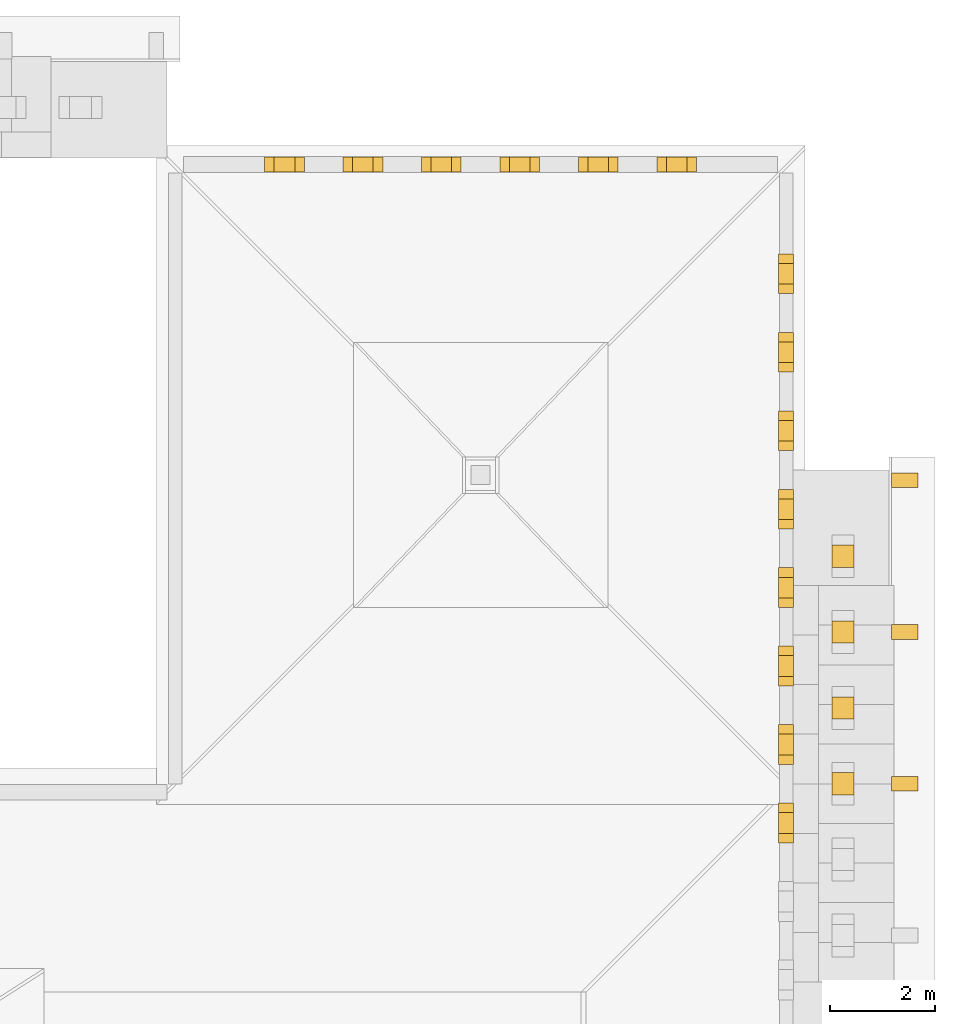
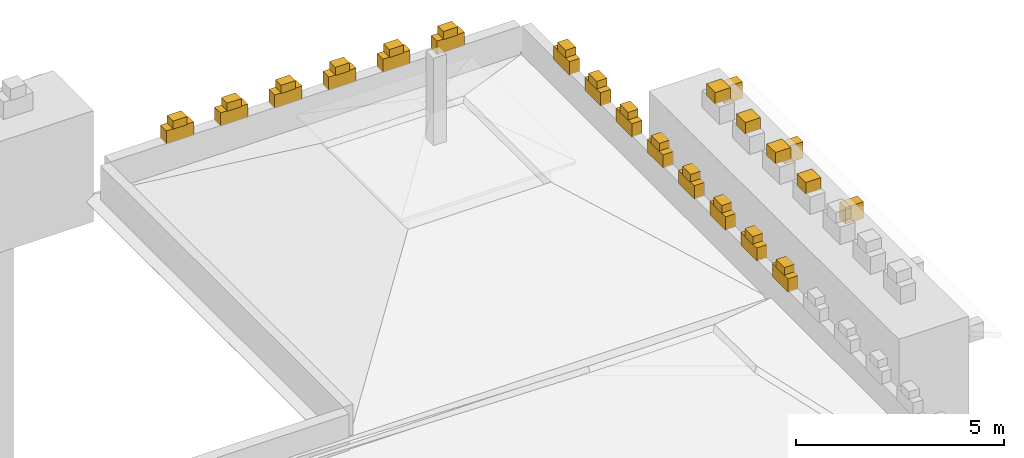
# One storey, part 4 of 4: 35 coverings.
"""IFC4 building model written with IfcOpenShell, lengths in metres."""

from ifc_helpers import new_model, si_unit, direction, frame, origin, place, context, subcontext, project, spatial, polyline, outline, extrude, material, layer, layer_set, type_object, element, save


model = new_model("IFC4")

# Units and contexts
model_context = context("Model", 3, precision=1e-05, world=origin(), true_north=direction((0.0, 1.0)))
body_context = subcontext(model_context, "Body", "Model", "MODEL_VIEW")
ifc_project = project(units=[si_unit("LENGTHUNIT", "METRE"), si_unit("AREAUNIT", "SQUARE_METRE"), si_unit("VOLUMEUNIT", "CUBIC_METRE"), si_unit("PLANEANGLEUNIT", "RADIAN"), si_unit("MASSUNIT", "GRAM", prefix="KILO")], contexts=[model_context])

# Site, building, storey
site_placement = place(None, origin())
site = spatial("IfcSite", under=ifc_project, at=site_placement, CompositionType="ELEMENT")
building_placement = place(site_placement, origin())
building = spatial("IfcBuilding", under=site, at=building_placement, Name="Zlatogorsky Bluff Art Gallery", CompositionType="ELEMENT")
storey_placement = place(building_placement, frame((0.0, 0.0, 28.199951171875)))
storey = spatial("IfcBuildingStorey", under=building, at=storey_placement, Name="RF", CompositionType="ELEMENT", Elevation=28.199951171875)

# Coverings
ifc_material = material(Name="Honed Red Agra-Tone Quartzitic Sandstone", Category="masonry")
ifc_layer = layer(ifc_material, 0.1201171875)
ifc_layer_set = layer_set([ifc_layer], Name="Carved Sandstone Cladding CLD-02")
covering_type = type_object("IfcCoveringType", Name="Carved Sandstone Cladding CLD-02", PredefinedType="CLADDING", material=ifc_layer_set)
covering_1_placement = place(storey_placement, frame((0.0, 0.0, 1.760009765625)))
element("IfcCovering", 1, at=covering_1_placement, inside=storey, type_object=covering_type, Name="Chhajja carved stone corbel PISHTAQ-NE-EAST-CHJ.3", PredefinedType="CLADDING", context=body_context, shape_type="SweptSolid", body=[
    extrude(outline(polyline([(157.860107421875, 95.860107421875), (157.860107421875, 96.139892578125), (158.360107421875, 96.139892578125), (158.360107421875, 95.860107421875), (157.860107421875, 95.860107421875)])), origin(), (0.0, 0.0, 1.0), 0.47998046875),
])
covering_2_placement = place(storey_placement, frame((0.0, 0.0, 1.760009765625)))
element("IfcCovering", 2, at=covering_2_placement, inside=storey, type_object=covering_type, Name="Chhajja carved stone corbel PISHTAQ-NE-EAST-CHJ.4", PredefinedType="CLADDING", context=body_context, shape_type="SweptSolid", body=[
    extrude(outline(polyline([(157.860107421875, 98.760009765625), (157.860107421875, 99.0400390625), (158.360107421875, 99.0400390625), (158.360107421875, 98.760009765625), (157.860107421875, 98.760009765625)])), origin(), (0.0, 0.0, 1.0), 0.47998046875),
])
covering_3_placement = place(storey_placement, frame((0.0, 0.0, 1.760009765625)))
element("IfcCovering", 3, at=covering_3_placement, inside=storey, type_object=covering_type, Name="Chhajja carved stone corbel PISHTAQ-NE-EAST-CHJ.5", PredefinedType="CLADDING", context=body_context, shape_type="SweptSolid", body=[
    extrude(outline(polyline([(157.860107421875, 101.659912109375), (157.860107421875, 101.93994140625), (158.360107421875, 101.93994140625), (158.360107421875, 101.659912109375), (157.860107421875, 101.659912109375)])), origin(), (0.0, 0.0, 1.0), 0.47998046875),
])
covering_4_placement = place(storey_placement, frame((0.0, 0.0, 3.083740234375)))
element("IfcCovering", 4, at=covering_4_placement, inside=storey, type_object=covering_type, Name="Kangura pointed merlon finial PISHTAQ-NE-EAST.4", PredefinedType="CLADDING", context=body_context, shape_type="SweptSolid", body=[
    extrude(outline(polyline([(156.719970703125, 95.786865234375), (156.719970703125, 96.213134765625), (157.139892578125, 96.213134765625), (157.139892578125, 95.786865234375), (156.719970703125, 95.786865234375)])), origin(), (0.0, 0.0, 1.0), 0.33642578125),
])
covering_5_placement = place(storey_placement, frame((0.0, 0.0, 3.083740234375)))
element("IfcCovering", 5, at=covering_5_placement, inside=storey, type_object=covering_type, Name="Kangura pointed merlon finial PISHTAQ-NE-EAST.5", PredefinedType="CLADDING", context=body_context, shape_type="SweptSolid", body=[
    extrude(outline(polyline([(156.719970703125, 97.23681640625), (156.719970703125, 97.6630859375), (157.139892578125, 97.6630859375), (157.139892578125, 97.23681640625), (156.719970703125, 97.23681640625)])), origin(), (0.0, 0.0, 1.0), 0.33642578125),
])
covering_6_placement = place(storey_placement, frame((0.0, 0.0, 3.083740234375)))
element("IfcCovering", 6, at=covering_6_placement, inside=storey, type_object=covering_type, Name="Kangura pointed merlon finial PISHTAQ-NE-EAST.6", PredefinedType="CLADDING", context=body_context, shape_type="SweptSolid", body=[
    extrude(outline(polyline([(156.719970703125, 98.686767578125), (156.719970703125, 99.11328125), (157.139892578125, 99.11328125), (157.139892578125, 98.686767578125), (156.719970703125, 98.686767578125)])), origin(), (0.0, 0.0, 1.0), 0.33642578125),
])
covering_7_placement = place(storey_placement, frame((0.0, 0.0, 3.083740234375)))
element("IfcCovering", 7, at=covering_7_placement, inside=storey, type_object=covering_type, Name="Kangura pointed merlon finial PISHTAQ-NE-EAST.7", PredefinedType="CLADDING", context=body_context, shape_type="SweptSolid", body=[
    extrude(outline(polyline([(156.719970703125, 100.13671875), (156.719970703125, 100.563232421875), (157.139892578125, 100.563232421875), (157.139892578125, 100.13671875), (156.719970703125, 100.13671875)])), origin(), (0.0, 0.0, 1.0), 0.33642578125),
])
covering_8_placement = place(storey_placement, frame((0.0, 0.0, 1.1201171875)))
element("IfcCovering", 8, at=covering_8_placement, inside=storey, type_object=covering_type, Name="Kangura stepped merlon base PAR-RF-RF-01-6.1", PredefinedType="CLADDING", context=body_context, shape_type="SweptSolid", body=[
    extrude(outline(polyline([(145.8701171875, 107.699951171875), (146.6298828125, 107.699951171875), (146.6298828125, 107.97998046875), (145.8701171875, 107.97998046875), (145.8701171875, 107.699951171875)])), origin(), (0.0, 0.0, 1.0), 0.3896484375),
])
covering_9_placement = place(storey_placement, frame((0.0, 0.0, 1.4921875)))
element("IfcCovering", 9, at=covering_9_placement, inside=storey, type_object=covering_type, Name="Kangura pointed merlon finial PAR-RF-RF-01-6.1", PredefinedType="CLADDING", context=body_context, shape_type="SweptSolid", body=[
    extrude(outline(polyline([(146.052490234375, 107.699951171875), (146.447509765625, 107.699951171875), (146.447509765625, 107.97998046875), (146.052490234375, 107.97998046875), (146.052490234375, 107.699951171875)])), origin(), (0.0, 0.0, 1.0), 0.23779296875),
])
covering_10_placement = place(storey_placement, frame((0.0, 0.0, 1.1201171875)))
element("IfcCovering", 10, at=covering_10_placement, inside=storey, type_object=covering_type, Name="Kangura stepped merlon base PAR-RF-RF-01-6.2", PredefinedType="CLADDING", context=body_context, shape_type="SweptSolid", body=[
    extrude(outline(polyline([(147.3701171875, 107.699951171875), (148.1298828125, 107.699951171875), (148.1298828125, 107.97998046875), (147.3701171875, 107.97998046875), (147.3701171875, 107.699951171875)])), origin(), (0.0, 0.0, 1.0), 0.3896484375),
])
covering_11_placement = place(storey_placement, frame((0.0, 0.0, 1.4921875)))
element("IfcCovering", 11, at=covering_11_placement, inside=storey, type_object=covering_type, Name="Kangura pointed merlon finial PAR-RF-RF-01-6.2", PredefinedType="CLADDING", context=body_context, shape_type="SweptSolid", body=[
    extrude(outline(polyline([(147.552490234375, 107.699951171875), (147.947509765625, 107.699951171875), (147.947509765625, 107.97998046875), (147.552490234375, 107.97998046875), (147.552490234375, 107.699951171875)])), origin(), (0.0, 0.0, 1.0), 0.23779296875),
])
covering_12_placement = place(storey_placement, frame((0.0, 0.0, 1.1201171875)))
element("IfcCovering", 12, at=covering_12_placement, inside=storey, type_object=covering_type, Name="Kangura stepped merlon base PAR-RF-RF-01-6.3", PredefinedType="CLADDING", context=body_context, shape_type="SweptSolid", body=[
    extrude(outline(polyline([(148.8701171875, 107.699951171875), (149.6298828125, 107.699951171875), (149.6298828125, 107.97998046875), (148.8701171875, 107.97998046875), (148.8701171875, 107.699951171875)])), origin(), (0.0, 0.0, 1.0), 0.3896484375),
])
covering_13_placement = place(storey_placement, frame((0.0, 0.0, 1.4921875)))
element("IfcCovering", 13, at=covering_13_placement, inside=storey, type_object=covering_type, Name="Kangura pointed merlon finial PAR-RF-RF-01-6.3", PredefinedType="CLADDING", context=body_context, shape_type="SweptSolid", body=[
    extrude(outline(polyline([(149.052490234375, 107.699951171875), (149.447509765625, 107.699951171875), (149.447509765625, 107.97998046875), (149.052490234375, 107.97998046875), (149.052490234375, 107.699951171875)])), origin(), (0.0, 0.0, 1.0), 0.23779296875),
])
covering_14_placement = place(storey_placement, frame((0.0, 0.0, 1.1201171875)))
element("IfcCovering", 14, at=covering_14_placement, inside=storey, type_object=covering_type, Name="Kangura stepped merlon base PAR-RF-RF-01-6.4", PredefinedType="CLADDING", context=body_context, shape_type="SweptSolid", body=[
    extrude(outline(polyline([(150.3701171875, 107.699951171875), (151.1298828125, 107.699951171875), (151.1298828125, 107.97998046875), (150.3701171875, 107.97998046875), (150.3701171875, 107.699951171875)])), origin(), (0.0, 0.0, 1.0), 0.3896484375),
])
covering_15_placement = place(storey_placement, frame((0.0, 0.0, 1.4921875)))
element("IfcCovering", 15, at=covering_15_placement, inside=storey, type_object=covering_type, Name="Kangura pointed merlon finial PAR-RF-RF-01-6.4", PredefinedType="CLADDING", context=body_context, shape_type="SweptSolid", body=[
    extrude(outline(polyline([(150.552490234375, 107.699951171875), (150.947509765625, 107.699951171875), (150.947509765625, 107.97998046875), (150.552490234375, 107.97998046875), (150.552490234375, 107.699951171875)])), origin(), (0.0, 0.0, 1.0), 0.23779296875),
])
covering_16_placement = place(storey_placement, frame((0.0, 0.0, 1.1201171875)))
element("IfcCovering", 16, at=covering_16_placement, inside=storey, type_object=covering_type, Name="Kangura stepped merlon base PAR-RF-RF-01-6.5", PredefinedType="CLADDING", context=body_context, shape_type="SweptSolid", body=[
    extrude(outline(polyline([(151.8701171875, 107.699951171875), (152.6298828125, 107.699951171875), (152.6298828125, 107.97998046875), (151.8701171875, 107.97998046875), (151.8701171875, 107.699951171875)])), origin(), (0.0, 0.0, 1.0), 0.3896484375),
])
covering_17_placement = place(storey_placement, frame((0.0, 0.0, 1.4921875)))
element("IfcCovering", 17, at=covering_17_placement, inside=storey, type_object=covering_type, Name="Kangura pointed merlon finial PAR-RF-RF-01-6.5", PredefinedType="CLADDING", context=body_context, shape_type="SweptSolid", body=[
    extrude(outline(polyline([(152.052490234375, 107.699951171875), (152.447509765625, 107.699951171875), (152.447509765625, 107.97998046875), (152.052490234375, 107.97998046875), (152.052490234375, 107.699951171875)])), origin(), (0.0, 0.0, 1.0), 0.23779296875),
])
covering_18_placement = place(storey_placement, frame((0.0, 0.0, 1.1201171875)))
element("IfcCovering", 18, at=covering_18_placement, inside=storey, type_object=covering_type, Name="Kangura stepped merlon base PAR-RF-RF-01-6.6", PredefinedType="CLADDING", context=body_context, shape_type="SweptSolid", body=[
    extrude(outline(polyline([(153.3701171875, 107.699951171875), (154.1298828125, 107.699951171875), (154.1298828125, 107.97998046875), (153.3701171875, 107.97998046875), (153.3701171875, 107.699951171875)])), origin(), (0.0, 0.0, 1.0), 0.3896484375),
])
covering_19_placement = place(storey_placement, frame((0.0, 0.0, 1.4921875)))
element("IfcCovering", 19, at=covering_19_placement, inside=storey, type_object=covering_type, Name="Kangura pointed merlon finial PAR-RF-RF-01-6.6", PredefinedType="CLADDING", context=body_context, shape_type="SweptSolid", body=[
    extrude(outline(polyline([(153.552490234375, 107.699951171875), (153.947509765625, 107.699951171875), (153.947509765625, 107.97998046875), (153.552490234375, 107.97998046875), (153.552490234375, 107.699951171875)])), origin(), (0.0, 0.0, 1.0), 0.23779296875),
])
covering_20_placement = place(storey_placement, frame((0.0, 0.0, 1.1201171875)))
element("IfcCovering", 20, at=covering_20_placement, inside=storey, type_object=covering_type, Name="Kangura stepped merlon base PAR-RF-RF-01-7.7", PredefinedType="CLADDING", context=body_context, shape_type="SweptSolid", body=[
    extrude(outline(polyline([(155.699951171875, 94.8701171875), (155.699951171875, 95.6298828125), (155.97998046875, 95.6298828125), (155.97998046875, 94.8701171875), (155.699951171875, 94.8701171875)])), origin(), (0.0, 0.0, 1.0), 0.3896484375),
])
covering_21_placement = place(storey_placement, frame((0.0, 0.0, 1.4921875)))
element("IfcCovering", 21, at=covering_21_placement, inside=storey, type_object=covering_type, Name="Kangura pointed merlon finial PAR-RF-RF-01-7.7", PredefinedType="CLADDING", context=body_context, shape_type="SweptSolid", body=[
    extrude(outline(polyline([(155.699951171875, 95.052490234375), (155.699951171875, 95.447509765625), (155.97998046875, 95.447509765625), (155.97998046875, 95.052490234375), (155.699951171875, 95.052490234375)])), origin(), (0.0, 0.0, 1.0), 0.23779296875),
])
covering_22_placement = place(storey_placement, frame((0.0, 0.0, 1.1201171875)))
element("IfcCovering", 22, at=covering_22_placement, inside=storey, type_object=covering_type, Name="Kangura stepped merlon base PAR-RF-RF-01-7.8", PredefinedType="CLADDING", context=body_context, shape_type="SweptSolid", body=[
    extrude(outline(polyline([(155.699951171875, 96.3701171875), (155.699951171875, 97.1298828125), (155.97998046875, 97.1298828125), (155.97998046875, 96.3701171875), (155.699951171875, 96.3701171875)])), origin(), (0.0, 0.0, 1.0), 0.3896484375),
])
covering_23_placement = place(storey_placement, frame((0.0, 0.0, 1.4921875)))
element("IfcCovering", 23, at=covering_23_placement, inside=storey, type_object=covering_type, Name="Kangura pointed merlon finial PAR-RF-RF-01-7.8", PredefinedType="CLADDING", context=body_context, shape_type="SweptSolid", body=[
    extrude(outline(polyline([(155.699951171875, 96.552490234375), (155.699951171875, 96.947509765625), (155.97998046875, 96.947509765625), (155.97998046875, 96.552490234375), (155.699951171875, 96.552490234375)])), origin(), (0.0, 0.0, 1.0), 0.23779296875),
])
covering_24_placement = place(storey_placement, frame((0.0, 0.0, 1.1201171875)))
element("IfcCovering", 24, at=covering_24_placement, inside=storey, type_object=covering_type, Name="Kangura stepped merlon base PAR-RF-RF-01-7.9", PredefinedType="CLADDING", context=body_context, shape_type="SweptSolid", body=[
    extrude(outline(polyline([(155.699951171875, 97.8701171875), (155.699951171875, 98.6298828125), (155.97998046875, 98.6298828125), (155.97998046875, 97.8701171875), (155.699951171875, 97.8701171875)])), origin(), (0.0, 0.0, 1.0), 0.3896484375),
])
covering_25_placement = place(storey_placement, frame((0.0, 0.0, 1.4921875)))
element("IfcCovering", 25, at=covering_25_placement, inside=storey, type_object=covering_type, Name="Kangura pointed merlon finial PAR-RF-RF-01-7.9", PredefinedType="CLADDING", context=body_context, shape_type="SweptSolid", body=[
    extrude(outline(polyline([(155.699951171875, 98.052490234375), (155.699951171875, 98.447509765625), (155.97998046875, 98.447509765625), (155.97998046875, 98.052490234375), (155.699951171875, 98.052490234375)])), origin(), (0.0, 0.0, 1.0), 0.23779296875),
])
covering_26_placement = place(storey_placement, frame((0.0, 0.0, 1.1201171875)))
element("IfcCovering", 26, at=covering_26_placement, inside=storey, type_object=covering_type, Name="Kangura stepped merlon base PAR-RF-RF-01-7.10", PredefinedType="CLADDING", context=body_context, shape_type="SweptSolid", body=[
    extrude(outline(polyline([(155.699951171875, 99.3701171875), (155.699951171875, 100.1298828125), (155.97998046875, 100.1298828125), (155.97998046875, 99.3701171875), (155.699951171875, 99.3701171875)])), origin(), (0.0, 0.0, 1.0), 0.3896484375),
])
covering_27_placement = place(storey_placement, frame((0.0, 0.0, 1.4921875)))
element("IfcCovering", 27, at=covering_27_placement, inside=storey, type_object=covering_type, Name="Kangura pointed merlon finial PAR-RF-RF-01-7.10", PredefinedType="CLADDING", context=body_context, shape_type="SweptSolid", body=[
    extrude(outline(polyline([(155.699951171875, 99.552490234375), (155.699951171875, 99.947509765625), (155.97998046875, 99.947509765625), (155.97998046875, 99.552490234375), (155.699951171875, 99.552490234375)])), origin(), (0.0, 0.0, 1.0), 0.23779296875),
])
covering_28_placement = place(storey_placement, frame((0.0, 0.0, 1.1201171875)))
element("IfcCovering", 28, at=covering_28_placement, inside=storey, type_object=covering_type, Name="Kangura stepped merlon base PAR-RF-RF-01-7.11", PredefinedType="CLADDING", context=body_context, shape_type="SweptSolid", body=[
    extrude(outline(polyline([(155.699951171875, 100.8701171875), (155.699951171875, 101.6298828125), (155.97998046875, 101.6298828125), (155.97998046875, 100.8701171875), (155.699951171875, 100.8701171875)])), origin(), (0.0, 0.0, 1.0), 0.3896484375),
])
covering_29_placement = place(storey_placement, frame((0.0, 0.0, 1.4921875)))
element("IfcCovering", 29, at=covering_29_placement, inside=storey, type_object=covering_type, Name="Kangura pointed merlon finial PAR-RF-RF-01-7.11", PredefinedType="CLADDING", context=body_context, shape_type="SweptSolid", body=[
    extrude(outline(polyline([(155.699951171875, 101.052490234375), (155.699951171875, 101.447509765625), (155.97998046875, 101.447509765625), (155.97998046875, 101.052490234375), (155.699951171875, 101.052490234375)])), origin(), (0.0, 0.0, 1.0), 0.23779296875),
])
covering_30_placement = place(storey_placement, frame((0.0, 0.0, 1.1201171875)))
element("IfcCovering", 30, at=covering_30_placement, inside=storey, type_object=covering_type, Name="Kangura stepped merlon base PAR-RF-RF-01-7.12", PredefinedType="CLADDING", context=body_context, shape_type="SweptSolid", body=[
    extrude(outline(polyline([(155.699951171875, 102.3701171875), (155.699951171875, 103.1298828125), (155.97998046875, 103.1298828125), (155.97998046875, 102.3701171875), (155.699951171875, 102.3701171875)])), origin(), (0.0, 0.0, 1.0), 0.3896484375),
])
covering_31_placement = place(storey_placement, frame((0.0, 0.0, 1.4921875)))
element("IfcCovering", 31, at=covering_31_placement, inside=storey, type_object=covering_type, Name="Kangura pointed merlon finial PAR-RF-RF-01-7.12", PredefinedType="CLADDING", context=body_context, shape_type="SweptSolid", body=[
    extrude(outline(polyline([(155.699951171875, 102.552490234375), (155.699951171875, 102.947509765625), (155.97998046875, 102.947509765625), (155.97998046875, 102.552490234375), (155.699951171875, 102.552490234375)])), origin(), (0.0, 0.0, 1.0), 0.23779296875),
])
covering_32_placement = place(storey_placement, frame((0.0, 0.0, 1.1201171875)))
element("IfcCovering", 32, at=covering_32_placement, inside=storey, type_object=covering_type, Name="Kangura stepped merlon base PAR-RF-RF-01-7.13", PredefinedType="CLADDING", context=body_context, shape_type="SweptSolid", body=[
    extrude(outline(polyline([(155.699951171875, 103.8701171875), (155.699951171875, 104.6298828125), (155.97998046875, 104.6298828125), (155.97998046875, 103.8701171875), (155.699951171875, 103.8701171875)])), origin(), (0.0, 0.0, 1.0), 0.3896484375),
])
covering_33_placement = place(storey_placement, frame((0.0, 0.0, 1.4921875)))
element("IfcCovering", 33, at=covering_33_placement, inside=storey, type_object=covering_type, Name="Kangura pointed merlon finial PAR-RF-RF-01-7.13", PredefinedType="CLADDING", context=body_context, shape_type="SweptSolid", body=[
    extrude(outline(polyline([(155.699951171875, 104.052490234375), (155.699951171875, 104.447509765625), (155.97998046875, 104.447509765625), (155.97998046875, 104.052490234375), (155.699951171875, 104.052490234375)])), origin(), (0.0, 0.0, 1.0), 0.23779296875),
])
covering_34_placement = place(storey_placement, frame((0.0, 0.0, 1.1201171875)))
element("IfcCovering", 34, at=covering_34_placement, inside=storey, type_object=covering_type, Name="Kangura stepped merlon base PAR-RF-RF-01-7.14", PredefinedType="CLADDING", context=body_context, shape_type="SweptSolid", body=[
    extrude(outline(polyline([(155.699951171875, 105.3701171875), (155.699951171875, 106.1298828125), (155.97998046875, 106.1298828125), (155.97998046875, 105.3701171875), (155.699951171875, 105.3701171875)])), origin(), (0.0, 0.0, 1.0), 0.3896484375),
])
covering_35_placement = place(storey_placement, frame((0.0, 0.0, 1.4921875)))
element("IfcCovering", 35, at=covering_35_placement, inside=storey, type_object=covering_type, Name="Kangura pointed merlon finial PAR-RF-RF-01-7.14", PredefinedType="CLADDING", context=body_context, shape_type="SweptSolid", body=[
    extrude(outline(polyline([(155.699951171875, 105.552490234375), (155.699951171875, 105.947509765625), (155.97998046875, 105.947509765625), (155.97998046875, 105.552490234375), (155.699951171875, 105.552490234375)])), origin(), (0.0, 0.0, 1.0), 0.23779296875),
])

save(model, "model.ifc")
